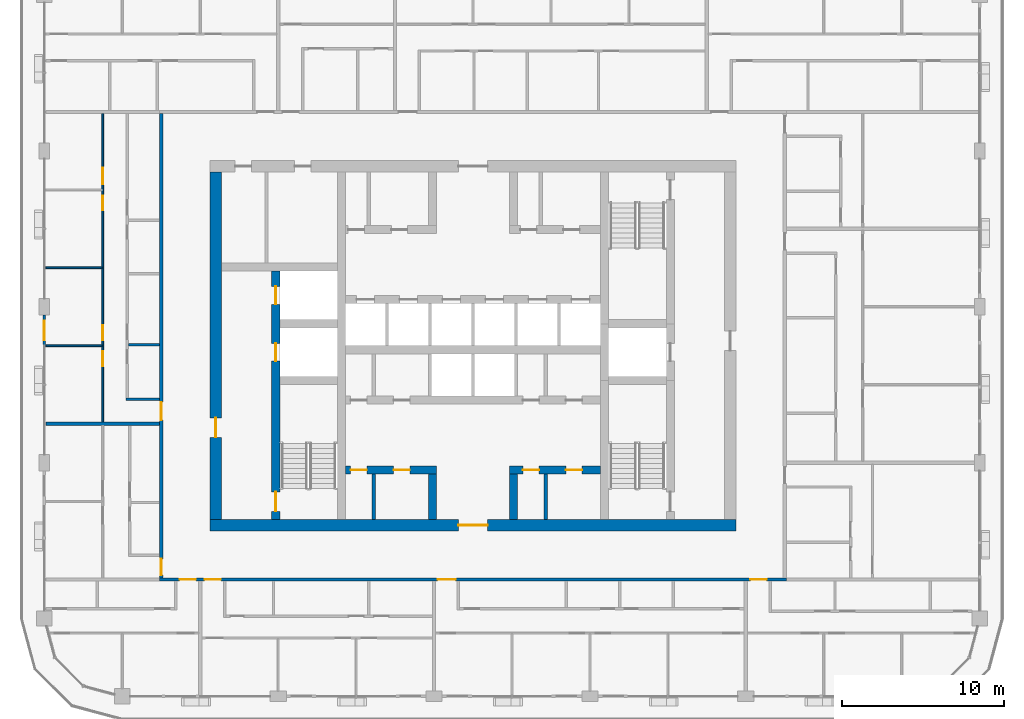
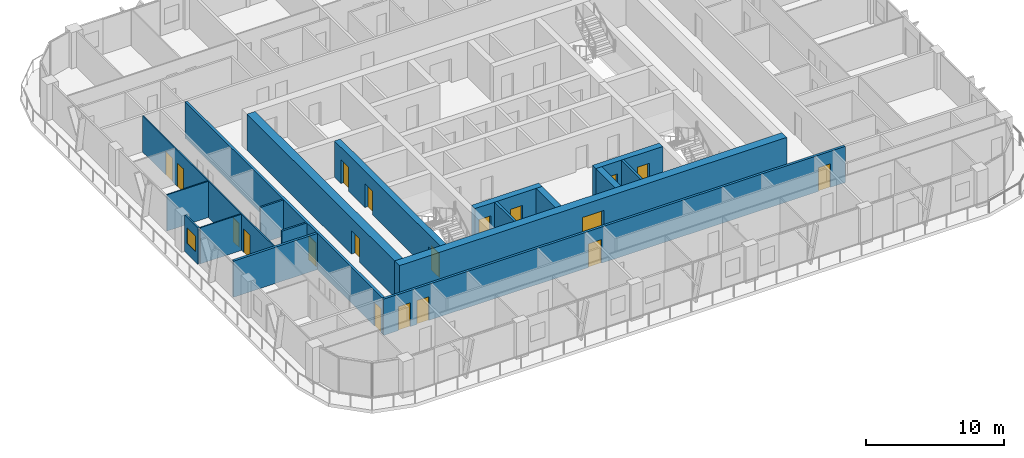
# One storey, part 10 of 23: 19 doors, 18 walls, 1 window, 20 openings.
"""IFC4 building model written with IfcOpenShell, lengths in metres."""

from ifc_helpers import new_model, si_unit, direction, frame, frame_2d, origin, place, context, subcontext, project, spatial, rectangle, extrude, material, layer, layer_set, type_object, element, fill, save


model = new_model("IFC4")

# Units and contexts
model_context = context("Model", 3, precision=1e-05, world=origin(), true_north=direction((0.0, 1.0)))
body_context = subcontext(model_context, "Body", "Model", "MODEL_VIEW")
ifc_project = project(units=[si_unit("LENGTHUNIT", "METRE"), si_unit("AREAUNIT", "SQUARE_METRE"), si_unit("VOLUMEUNIT", "CUBIC_METRE"), si_unit("PLANEANGLEUNIT", "RADIAN"), si_unit("MASSUNIT", "GRAM", prefix="KILO")], contexts=[model_context])

# Site, building, storey
site_placement = place(None, origin())
site = spatial("IfcSite", under=ifc_project, at=site_placement, CompositionType="ELEMENT")
building_placement = place(site_placement, origin())
building = spatial("IfcBuilding", under=site, at=building_placement, Name="Madar Terraces", CompositionType="ELEMENT")
storey_placement = place(building_placement, frame((0.0, 0.0, 222.800048828125)))
storey = spatial("IfcBuildingStorey", under=building, at=storey_placement, Name="L58", CompositionType="ELEMENT", Elevation=222.800048828125)

# Wall, openings, doors
ifc_material_1 = material(Name="Concrete C60/75", Category="concrete")
ifc_layer_1 = layer(ifc_material_1, 0.5)
ifc_layer_set_1 = layer_set([ifc_layer_1], Name="Concrete C60/75 (CIW4 RC wall 500)")
wall_type_1 = type_object("IfcWallType", Name="CIW4 RC wall 500", PredefinedType="SHEAR", material=ifc_layer_set_1)
wall_1_placement = place(storey_placement, frame((19.050048828125, 15.699951171875, 0.0), z_axis=(0.0, 0.0, 1.0), x_axis=(0.0, 1.0, 0.0)))
wall_1 = element("IfcWall", 1, at=wall_1_placement, inside=storey, type_object=wall_type_1, Name="CORE SHAFT WALL", PredefinedType="SHEAR", context=body_context, shape_type="SweptSolid", body=[
    extrude(rectangle(XDim=15.300048828125, YDim=0.5, at=frame_2d((7.64990234375, 0.0))), origin(), (0.0, 0.0, 1.0), 3.199951171875),
])
opening_1_placement = place(wall_1_placement, frame((9.75, 0.0, 0.0)))
opening_1 = element("IfcOpeningElement", 2, at=opening_1_placement, cuts=wall_1, Name="Opening LD", PredefinedType="OPENING", context=body_context, shape_type="SweptSolid", body=[
    extrude(rectangle(XDim=1.10009765625, YDim=2.10009765625, at=frame_2d((0.550048828125, 1.050048828125))), frame((0.0, 0.260009765625, 0.0), z_axis=(0.0, -1.0, 0.0), x_axis=(1.0, 0.0, 0.0)), (0.0, 0.0, 1.0), 0.52001953125),
])
opening_2_placement = place(wall_1_placement, frame((13.25, 0.0, 0.0)))
opening_2 = element("IfcOpeningElement", 3, at=opening_2_placement, cuts=wall_1, Name="Opening LD", PredefinedType="OPENING", context=body_context, shape_type="SweptSolid", body=[
    extrude(rectangle(XDim=1.10009765625, YDim=2.10009765625, at=frame_2d((0.550048828125, 1.050048828125))), frame((0.0, 0.260009765625, 0.0), z_axis=(0.0, -1.0, 0.0), x_axis=(1.0, 0.0, 0.0)), (0.0, 0.0, 1.0), 0.52001953125),
])
opening_3_placement = place(wall_1_placement, frame((0.5, 0.0, 0.0)))
opening_3 = element("IfcOpeningElement", 4, at=opening_3_placement, cuts=wall_1, Name="Opening SD1", PredefinedType="OPENING", context=body_context, shape_type="SweptSolid", body=[
    extrude(rectangle(XDim=1.199951171875, YDim=2.10009765625, at=frame_2d((0.60009765625, 1.050048828125))), frame((0.0, 0.260009765625, 0.0), z_axis=(0.0, -1.0, 0.0), x_axis=(1.0, 0.0, 0.0)), (0.0, 0.0, 1.0), 0.52001953125),
])
ifc_material_2 = material(Name="Stainless steel panel", Category="steel")
door_type_1 = type_object("IfcDoorType", Name="Lift landing door 1100 x 2100", OperationType="DOUBLE_DOOR_SLIDING", PredefinedType="DOOR", material=ifc_material_2)
door_1_placement = place(opening_1_placement, origin())
door_1 = element("IfcDoor", 5, at=door_1_placement, inside=storey, type_object=door_type_1, Name="LIFT LANDING DOOR", OperationType="DOUBLE_DOOR_SLIDING", OverallHeight=2.10009765625, OverallWidth=1.10009765625, PredefinedType="DOOR", context=body_context, shape_type="SweptSolid", body=[
    extrude(rectangle(XDim=1.10009765625, YDim=2.10009765625, at=frame_2d((0.550048828125, 1.050048828125))), frame((0.0, 0.02490234375, 0.0), z_axis=(0.0, -1.0, 0.0), x_axis=(1.0, 0.0, 0.0)), (0.0, 0.0, 1.0), 0.050048828125),
])
fill(opening_1, door_1)
door_2_placement = place(opening_2_placement, origin())
door_2 = element("IfcDoor", 6, at=door_2_placement, inside=storey, type_object=door_type_1, Name="LIFT LANDING DOOR", OperationType="DOUBLE_DOOR_SLIDING", OverallHeight=2.10009765625, OverallWidth=1.10009765625, PredefinedType="DOOR", context=body_context, shape_type="SweptSolid", body=[
    extrude(rectangle(XDim=1.10009765625, YDim=2.10009765625, at=frame_2d((0.550048828125, 1.050048828125))), frame((0.0, 0.02490234375, 0.0), z_axis=(0.0, -1.0, 0.0), x_axis=(1.0, 0.0, 0.0)), (0.0, 0.0, 1.0), 0.050048828125),
])
fill(opening_2, door_2)
ifc_material_3 = material(Name="Steel door leaf", Category="steel")
door_type_2 = type_object("IfcDoorType", Name="Stair door 1200 x 2100", OperationType="NOTDEFINED", PredefinedType="DOOR", material=ifc_material_3)
door_3_placement = place(opening_3_placement, frame((1.199951171875, 0.0, 0.0), z_axis=(0.0, 0.0, 1.0), x_axis=(-1.0, 0.0, 0.0)))
door_3 = element("IfcDoor", 7, at=door_3_placement, inside=storey, type_object=door_type_2, Name="STAIR DOOR", OperationType="SINGLE_SWING_RIGHT", OverallHeight=2.10009765625, OverallWidth=1.199951171875, PredefinedType="DOOR", context=body_context, shape_type="SweptSolid", body=[
    extrude(rectangle(XDim=1.199951171875, YDim=2.10009765625, at=frame_2d((0.60009765625, 1.050048828125))), frame((0.0, 0.02490234375, 0.0), z_axis=(0.0, -1.0, 0.0), x_axis=(1.0, 0.0, 0.0)), (0.0, 0.0, 1.0), 0.050048828125),
])
fill(opening_3, door_3)

wall_2_placement = place(storey_placement, frame((23.35009765625, 18.75, 0.0), z_axis=(0.0, 0.0, 1.0), x_axis=(1.0, 0.0, 0.0)))
wall_2 = element("IfcWall", 8, at=wall_2_placement, inside=storey, type_object=wall_type_1, Name="CORE SHAFT WALL", PredefinedType="SHEAR", context=body_context, shape_type="SweptSolid", body=[
    extrude(rectangle(XDim=5.599853515625, YDim=0.5, at=frame_2d((2.7998046875, 0.0))), origin(), (0.0, 0.0, 1.0), 3.199951171875),
])
opening_4_placement = place(wall_2_placement, frame((0.31689453125, 0.0, 0.0)))
opening_4 = element("IfcOpeningElement", 9, at=opening_4_placement, cuts=wall_2, Name="Opening KD2", PredefinedType="OPENING", context=body_context, shape_type="SweptSolid", body=[
    extrude(rectangle(XDim=1.0, YDim=2.10009765625, at=frame_2d((0.5, 1.050048828125))), frame((0.0, 0.260009765625, 0.0), z_axis=(0.0, -1.0, 0.0), x_axis=(1.0, 0.0, 0.0)), (0.0, 0.0, 1.0), 0.52001953125),
])
opening_5_placement = place(wall_2_placement, frame((2.967041015625, 0.0, 0.0)))
opening_5 = element("IfcOpeningElement", 10, at=opening_5_placement, cuts=wall_2, Name="Opening KD2", PredefinedType="OPENING", context=body_context, shape_type="SweptSolid", body=[
    extrude(rectangle(XDim=1.0, YDim=2.10009765625, at=frame_2d((0.5, 1.050048828125))), frame((0.0, 0.260009765625, 0.0), z_axis=(0.0, -1.0, 0.0), x_axis=(1.0, 0.0, 0.0)), (0.0, 0.0, 1.0), 0.52001953125),
])
ifc_material_4 = material(Name="Steel door leaf", Category="steel")
door_type_3 = type_object("IfcDoorType", Name="Service room door 1000 x 2100", OperationType="NOTDEFINED", PredefinedType="DOOR", material=ifc_material_4)
door_4_placement = place(opening_4_placement, origin())
door_4 = element("IfcDoor", 11, at=door_4_placement, inside=storey, type_object=door_type_3, Name="SERVICE ROOM DOOR", OperationType="SINGLE_SWING_LEFT", OverallHeight=2.10009765625, OverallWidth=1.0, PredefinedType="DOOR", context=body_context, shape_type="SweptSolid", body=[
    extrude(rectangle(XDim=1.0, YDim=2.10009765625, at=frame_2d((0.5, 1.050048828125))), frame((0.0, 0.02490234375, 0.0), z_axis=(0.0, -1.0, 0.0), x_axis=(1.0, 0.0, 0.0)), (0.0, 0.0, 1.0), 0.050048828125),
])
fill(opening_4, door_4)
door_5_placement = place(opening_5_placement, origin())
door_5 = element("IfcDoor", 12, at=door_5_placement, inside=storey, type_object=door_type_3, Name="SERVICE ROOM DOOR", OperationType="SINGLE_SWING_RIGHT", OverallHeight=2.10009765625, OverallWidth=1.0, PredefinedType="DOOR", context=body_context, shape_type="SweptSolid", body=[
    extrude(rectangle(XDim=1.0, YDim=2.10009765625, at=frame_2d((0.5, 1.050048828125))), frame((0.0, 0.02490234375, 0.0), z_axis=(0.0, -1.0, 0.0), x_axis=(1.0, 0.0, 0.0)), (0.0, 0.0, 1.0), 0.050048828125),
])
fill(opening_5, door_5)

wall_3_placement = place(storey_placement, frame((33.449951171875, 18.75, 0.0), z_axis=(0.0, 0.0, 1.0), x_axis=(1.0, 0.0, 0.0)))
wall_3 = element("IfcWall", 13, at=wall_3_placement, inside=storey, type_object=wall_type_1, Name="CORE SHAFT WALL", PredefinedType="SHEAR", context=body_context, shape_type="SweptSolid", body=[
    extrude(rectangle(XDim=5.60009765625, YDim=0.5, at=frame_2d((2.800048828125, 0.0))), origin(), (0.0, 0.0, 1.0), 3.199951171875),
])
opening_6_placement = place(wall_3_placement, frame((0.81689453125, 0.0, 0.0)))
opening_6 = element("IfcOpeningElement", 14, at=opening_6_placement, cuts=wall_3, Name="Opening KD2", PredefinedType="OPENING", context=body_context, shape_type="SweptSolid", body=[
    extrude(rectangle(XDim=1.0, YDim=2.10009765625, at=frame_2d((0.5, 1.050048828125))), frame((0.0, 0.260009765625, 0.0), z_axis=(0.0, -1.0, 0.0), x_axis=(1.0, 0.0, 0.0)), (0.0, 0.0, 1.0), 0.52001953125),
])
opening_7_placement = place(wall_3_placement, frame((3.467041015625, 0.0, 0.0)))
opening_7 = element("IfcOpeningElement", 15, at=opening_7_placement, cuts=wall_3, Name="Opening KD2", PredefinedType="OPENING", context=body_context, shape_type="SweptSolid", body=[
    extrude(rectangle(XDim=1.0, YDim=2.10009765625, at=frame_2d((0.5, 1.050048828125))), frame((0.0, 0.260009765625, 0.0), z_axis=(0.0, -1.0, 0.0), x_axis=(1.0, 0.0, 0.0)), (0.0, 0.0, 1.0), 0.52001953125),
])
door_6_placement = place(opening_6_placement, origin())
door_6 = element("IfcDoor", 16, at=door_6_placement, inside=storey, type_object=door_type_3, Name="SERVICE ROOM DOOR", OperationType="SINGLE_SWING_LEFT", OverallHeight=2.10009765625, OverallWidth=1.0, PredefinedType="DOOR", context=body_context, shape_type="SweptSolid", body=[
    extrude(rectangle(XDim=1.0, YDim=2.10009765625, at=frame_2d((0.5, 1.050048828125))), frame((0.0, 0.02490234375, 0.0), z_axis=(0.0, -1.0, 0.0), x_axis=(1.0, 0.0, 0.0)), (0.0, 0.0, 1.0), 0.050048828125),
])
fill(opening_6, door_6)
door_7_placement = place(opening_7_placement, origin())
door_7 = element("IfcDoor", 17, at=door_7_placement, inside=storey, type_object=door_type_3, Name="SERVICE ROOM DOOR", OperationType="SINGLE_SWING_RIGHT", OverallHeight=2.10009765625, OverallWidth=1.0, PredefinedType="DOOR", context=body_context, shape_type="SweptSolid", body=[
    extrude(rectangle(XDim=1.0, YDim=2.10009765625, at=frame_2d((0.5, 1.050048828125))), frame((0.0, 0.02490234375, 0.0), z_axis=(0.0, -1.0, 0.0), x_axis=(1.0, 0.0, 0.0)), (0.0, 0.0, 1.0), 0.050048828125),
])
fill(opening_7, door_7)

# Walls
for number, where, z_axis, x_axis, name in (
    (18, (28.699951171875, 15.699951171875, 0.0), (0.0, 0.0, 1.0), (0.0, 1.0, 0.0), "CORE SHAFT WALL"),
    (19, (33.699951171875, 15.699951171875, 0.0), (0.0, 0.0, 1.0), (0.0, 1.0, 0.0), "CORE SHAFT WALL"),
):
    element("IfcWall", number, at=place(storey_placement, frame(where, z_axis=z_axis, x_axis=x_axis)), inside=storey, type_object=wall_type_1, Name=name, PredefinedType="SHEAR", context=body_context, shape_type="SweptSolid", body=[
        extrude(rectangle(XDim=2.800048828125, YDim=0.5, at=frame_2d((1.39990234375, 0.0))), origin(), (0.0, 0.0, 1.0), 3.199951171875),
    ])

# Wall, opening, door
ifc_material_5 = material(Name="Concrete C60/75", Category="concrete")
ifc_layer_2 = layer(ifc_material_5, 0.699951171875)
ifc_layer_set_2 = layer_set([ifc_layer_2], Name="Concrete C60/75 (CRW4 RC wall 700)")
wall_type_2 = type_object("IfcWallType", Name="CRW4 RC wall 700", PredefinedType="SHEAR", material=ifc_layer_set_2)
wall_4_placement = place(storey_placement, frame((15.0, 15.35009765625, 0.0), z_axis=(0.0, 0.0, 1.0), x_axis=(1.0, 0.0, 0.0)))
wall_4 = element("IfcWall", 20, at=wall_4_placement, inside=storey, type_object=wall_type_2, Name="CORE OUTER WALL", PredefinedType="SHEAR", context=body_context, shape_type="SweptSolid", body=[
    extrude(rectangle(XDim=32.39990234375, YDim=0.699951171875, at=frame_2d((16.199951171875, 0.0))), origin(), (0.0, 0.0, 1.0), 3.199951171875),
])
opening_8_placement = place(wall_4_placement, frame((15.300048828125, 0.0, 0.0)))
opening_8 = element("IfcOpeningElement", 21, at=opening_8_placement, cuts=wall_4, Name="Opening KD1", PredefinedType="OPENING", context=body_context, shape_type="SweptSolid", body=[
    extrude(rectangle(XDim=1.800048828125, YDim=2.10009765625, at=frame_2d((0.89990234375, 1.050048828125))), frame((0.0, 0.35986328125, 0.0), z_axis=(0.0, -1.0, 0.0), x_axis=(1.0, 0.0, 0.0)), (0.0, 0.0, 1.0), 0.719970703125),
])
ifc_material_6 = material(Name="Steel door leaf", Category="steel")
door_type_4 = type_object("IfcDoorType", Name="Lobby door pair 1800 x 2100", OperationType="DOUBLE_DOOR_SINGLE_SWING", PredefinedType="DOOR", material=ifc_material_6)
door_8_placement = place(opening_8_placement, frame((1.800048828125, 0.0, 0.0), z_axis=(0.0, 0.0, 1.0), x_axis=(-1.0, 0.0, 0.0)))
door_8 = element("IfcDoor", 22, at=door_8_placement, inside=storey, type_object=door_type_4, Name="LIFT LOBBY DOOR", OperationType="DOUBLE_DOOR_SINGLE_SWING", OverallHeight=2.10009765625, OverallWidth=1.800048828125, PredefinedType="DOOR", context=body_context, shape_type="SweptSolid", body=[
    extrude(rectangle(XDim=1.800048828125, YDim=2.10009765625, at=frame_2d((0.89990234375, 1.050048828125))), frame((0.0, 0.02490234375, 0.0), z_axis=(0.0, -1.0, 0.0), x_axis=(1.0, 0.0, 0.0)), (0.0, 0.0, 1.0), 0.050048828125),
])
fill(opening_8, door_8)

wall_5_placement = place(storey_placement, frame((15.35009765625, 15.699951171875, 0.0), z_axis=(0.0, 0.0, 1.0), x_axis=(0.0, 1.0, 0.0)))
wall_5 = element("IfcWall", 23, at=wall_5_placement, inside=storey, type_object=wall_type_2, Name="CORE OUTER WALL", PredefinedType="SHEAR", context=body_context, shape_type="SweptSolid", body=[
    extrude(rectangle(XDim=21.400146484375, YDim=0.699951171875, at=frame_2d((10.7001953125, 0.0))), origin(), (0.0, 0.0, 1.0), 3.199951171875),
])
opening_9_placement = place(wall_5_placement, frame((5.06005859375, 0.0, 0.0)))
opening_9 = element("IfcOpeningElement", 24, at=opening_9_placement, cuts=wall_5, Name="Opening SD1", PredefinedType="OPENING", context=body_context, shape_type="SweptSolid", body=[
    extrude(rectangle(XDim=1.199951171875, YDim=2.10009765625, at=frame_2d((0.60009765625, 1.050048828125))), frame((0.0, 0.35986328125, 0.0), z_axis=(0.0, -1.0, 0.0), x_axis=(1.0, 0.0, 0.0)), (0.0, 0.0, 1.0), 0.719970703125),
])
door_9_placement = place(opening_9_placement, frame((1.199951171875, 0.0, 0.0), z_axis=(0.0, 0.0, 1.0), x_axis=(-1.0, 0.0, 0.0)))
door_9 = element("IfcDoor", 25, at=door_9_placement, inside=storey, type_object=door_type_2, Name="STAIR DOOR", OperationType="SINGLE_SWING_LEFT", OverallHeight=2.10009765625, OverallWidth=1.199951171875, PredefinedType="DOOR", context=body_context, shape_type="SweptSolid", body=[
    extrude(rectangle(XDim=1.199951171875, YDim=2.10009765625, at=frame_2d((0.60009765625, 1.050048828125))), frame((0.0, 0.02490234375, 0.0), z_axis=(0.0, -1.0, 0.0), x_axis=(1.0, 0.0, 0.0)), (0.0, 0.0, 1.0), 0.050048828125),
])
fill(opening_9, door_9)

# Walls
ifc_material_7 = material(Name="Masonry blockwork", Category="masonry")
ifc_layer_3 = layer(ifc_material_7, 0.199951171875)
ifc_layer_set_3 = layer_set([ifc_layer_3], Name="Core partition 200 blockwork")
wall_type_3 = type_object("IfcWallType", Name="Core partition 200 blockwork", PredefinedType="PARTITIONING", material=ifc_layer_set_3)
for number, where, z_axis, x_axis, name in (
    (26, (25.083984375, 15.699951171875, 0.0), (0.0, 0.0, 1.0), (0.0, 1.0, 0.0), "SERVICE ROOM PARTITION"),
    (27, (35.68408203125, 15.699951171875, 0.0), (0.0, 0.0, 1.0), (0.0, 1.0, 0.0), "SERVICE ROOM PARTITION"),
):
    element("IfcWall", number, at=place(storey_placement, frame(where, z_axis=z_axis, x_axis=x_axis)), inside=storey, type_object=wall_type_3, Name=name, PredefinedType="PARTITIONING", context=body_context, shape_type="SweptSolid", body=[
        extrude(rectangle(XDim=2.800048828125, YDim=0.199951171875, at=frame_2d((1.39990234375, 0.0))), origin(), (0.0, 0.0, 1.0), 3.199951171875),
    ])

# Wall, opening, window
ifc_material_8 = material(Name="Aluminium composite panel, black, over insulated backing", Category="aluminium")
ifc_layer_4 = layer(ifc_material_8, 0.14990234375)
ifc_layer_set_4 = layer_set([ifc_layer_4], Name="Facade bay panel 150")
wall_type_4 = type_object("IfcWallType", Name="Facade bay panel 150", PredefinedType="SOLIDWALL", material=ifc_layer_set_4)
wall_6_placement = place(storey_placement, frame((4.800048828125, 28.300048828125, 0.0), z_axis=(0.0, 0.0, 1.0), x_axis=(0.0, -1.0, 0.0)))
wall_6 = element("IfcWall", 28, at=wall_6_placement, inside=storey, type_object=wall_type_4, Name="Facade bay panel", PredefinedType="SOLIDWALL", context=body_context, shape_type="SweptSolid", body=[
    extrude(rectangle(XDim=1.900146484375, YDim=0.14990234375, at=frame_2d((0.9501953125, 0.0))), origin(), (0.0, 0.0, 1.0), 3.199951171875),
])
opening_10_placement = place(wall_6_placement, frame((0.35009765625, 0.0, 0.89990234375)))
opening_10 = element("IfcOpeningElement", 29, at=opening_10_placement, cuts=wall_6, Name="Opening W1", PredefinedType="OPENING", context=body_context, shape_type="SweptSolid", body=[
    extrude(rectangle(XDim=1.199951171875, YDim=1.39990234375, at=frame_2d((0.60009765625, 0.699951171875))), frame((0.0, 0.0849609375, 0.0), z_axis=(0.0, -1.0, 0.0), x_axis=(1.0, 0.0, 0.0)), (0.0, 0.0, 1.0), 0.169921875),
])
ifc_material_9 = material(Name="Glass, clear, with black aluminium frame", Category="aluminium")
window_type = type_object("IfcWindowType", Name="Vent window 1200 x 1400", PartitioningType="SINGLE_PANEL", PredefinedType="WINDOW", material=ifc_material_9)
window_placement = place(opening_10_placement, origin())
window = element("IfcWindow", 30, at=window_placement, inside=storey, type_object=window_type, Name="Operable vent window", OverallHeight=1.39990234375, OverallWidth=1.199951171875, PartitioningType="SINGLE_PANEL", PredefinedType="WINDOW", context=body_context, shape_type="SweptSolid", body=[
    extrude(rectangle(XDim=1.199951171875, YDim=1.39990234375, at=frame_2d((0.60009765625, 0.699951171875))), frame((0.0, 0.030029296875, 0.0), z_axis=(0.0, -1.0, 0.0), x_axis=(1.0, 0.0, 0.0)), (0.0, 0.0, 1.0), 0.06005859375),
])
fill(opening_10, window)

# Walls
ifc_material_10 = material(Name="Gypsum board on steel studs", Category="steel")
ifc_layer_5 = layer(ifc_material_10, 0.10009765625)
ifc_layer_set_5 = layer_set([ifc_layer_5], Name="Flat partition 100")
wall_type_5 = type_object("IfcWallType", Name="Flat partition 100", PredefinedType="PARTITIONING", material=ifc_layer_set_5)
for number, where, z_axis, x_axis, name in (
    (31, (8.35009765625, 26.39990234375, 0.0), (0.0, 0.0, 1.0), (-1.0, 0.0, 0.0), "Flat partition 100"),
    (32, (8.35009765625, 31.199951171875, 0.0), (0.0, 0.0, 1.0), (-1.0, 0.0, 0.0), "Flat partition 100"),
):
    element("IfcWall", number, at=place(storey_placement, frame(where, z_axis=z_axis, x_axis=x_axis)), inside=storey, type_object=wall_type_5, Name=name, PredefinedType="PARTITIONING", context=body_context, shape_type="SweptSolid", body=[
        extrude(rectangle(XDim=3.4501953125, YDim=0.10009765625, at=frame_2d((1.72509765625, 0.0))), origin(), (0.0, 0.0, 1.0), 3.199951171875),
    ])

# Wall, openings, doors
wall_7_placement = place(storey_placement, frame((8.39990234375, 21.699951171875, 0.0), z_axis=(0.0, 0.0, 1.0), x_axis=(0.0, 1.0, 0.0)))
wall_7 = element("IfcWall", 33, at=wall_7_placement, inside=storey, type_object=wall_type_5, Name="Flat partition 100", PredefinedType="PARTITIONING", context=body_context, shape_type="SweptSolid", body=[
    extrude(rectangle(XDim=19.0, YDim=0.10009765625, at=frame_2d((9.5, 0.0))), origin(), (0.0, 0.0, 1.0), 3.199951171875),
])
opening_11_placement = place(wall_7_placement, frame((3.449951171875, 0.0, 0.0)))
opening_11 = element("IfcOpeningElement", 34, at=opening_11_placement, cuts=wall_7, Name="Opening D2", PredefinedType="OPENING", context=body_context, shape_type="SweptSolid", body=[
    extrude(rectangle(XDim=0.89990234375, YDim=2.10009765625, at=frame_2d((0.449951171875, 1.050048828125))), frame((0.0, 0.06005859375, 0.0), z_axis=(0.0, -1.0, 0.0), x_axis=(1.0, 0.0, 0.0)), (0.0, 0.0, 1.0), 0.1201171875),
])
opening_12_placement = place(wall_7_placement, frame((5.050048828125, 0.0, 0.0)))
opening_12 = element("IfcOpeningElement", 35, at=opening_12_placement, cuts=wall_7, Name="Opening D2", PredefinedType="OPENING", context=body_context, shape_type="SweptSolid", body=[
    extrude(rectangle(XDim=0.89990234375, YDim=2.10009765625, at=frame_2d((0.449951171875, 1.050048828125))), frame((0.0, 0.06005859375, 0.0), z_axis=(0.0, -1.0, 0.0), x_axis=(1.0, 0.0, 0.0)), (0.0, 0.0, 1.0), 0.1201171875),
])
opening_13_placement = place(wall_7_placement, frame((13.050048828125, 0.0, 0.0)))
opening_13 = element("IfcOpeningElement", 36, at=opening_13_placement, cuts=wall_7, Name="Opening D2", PredefinedType="OPENING", context=body_context, shape_type="SweptSolid", body=[
    extrude(rectangle(XDim=0.89990234375, YDim=2.10009765625, at=frame_2d((0.449951171875, 1.050048828125))), frame((0.0, 0.06005859375, 0.0), z_axis=(0.0, -1.0, 0.0), x_axis=(1.0, 0.0, 0.0)), (0.0, 0.0, 1.0), 0.1201171875),
])
opening_14_placement = place(wall_7_placement, frame((14.64990234375, 0.0, 0.0)))
opening_14 = element("IfcOpeningElement", 37, at=opening_14_placement, cuts=wall_7, Name="Opening D3", PredefinedType="OPENING", context=body_context, shape_type="SweptSolid", body=[
    extrude(rectangle(XDim=1.0, YDim=2.10009765625, at=frame_2d((0.5, 1.050048828125))), frame((0.0, 0.06005859375, 0.0), z_axis=(0.0, -1.0, 0.0), x_axis=(1.0, 0.0, 0.0)), (0.0, 0.0, 1.0), 0.1201171875),
])
ifc_material_11 = material(Name="Timber door leaf", Category="wood")
door_type_5 = type_object("IfcDoorType", Name="Flat living room door 1000", OperationType="NOTDEFINED", PredefinedType="DOOR", material=ifc_material_11)
door_10_placement = place(opening_14_placement, origin())
door_10 = element("IfcDoor", 38, at=door_10_placement, inside=storey, type_object=door_type_5, Name="Flat living room door 1000", OperationType="SINGLE_SWING_LEFT", OverallHeight=2.10009765625, OverallWidth=1.0, PredefinedType="DOOR", context=body_context, shape_type="SweptSolid", body=[
    extrude(rectangle(XDim=1.0, YDim=2.10009765625, at=frame_2d((0.5, 1.050048828125))), frame((0.0, 0.02490234375, 0.0), z_axis=(0.0, -1.0, 0.0), x_axis=(1.0, 0.0, 0.0)), (0.0, 0.0, 1.0), 0.050048828125),
])
fill(opening_14, door_10)
ifc_material_12 = material(Name="Timber door leaf", Category="wood")
door_type_6 = type_object("IfcDoorType", Name="Flat room door 900", OperationType="NOTDEFINED", PredefinedType="DOOR", material=ifc_material_12)
door_11_placement = place(opening_11_placement, origin())
door_11 = element("IfcDoor", 39, at=door_11_placement, inside=storey, type_object=door_type_6, Name="Flat room door 900", OperationType="SINGLE_SWING_RIGHT", OverallHeight=2.10009765625, OverallWidth=0.89990234375, PredefinedType="DOOR", context=body_context, shape_type="SweptSolid", body=[
    extrude(rectangle(XDim=0.89990234375, YDim=2.10009765625, at=frame_2d((0.449951171875, 1.050048828125))), frame((0.0, 0.02490234375, 0.0), z_axis=(0.0, -1.0, 0.0), x_axis=(1.0, 0.0, 0.0)), (0.0, 0.0, 1.0), 0.050048828125),
])
fill(opening_11, door_11)
door_12_placement = place(opening_12_placement, origin())
door_12 = element("IfcDoor", 40, at=door_12_placement, inside=storey, type_object=door_type_6, Name="Flat room door 900", OperationType="SINGLE_SWING_LEFT", OverallHeight=2.10009765625, OverallWidth=0.89990234375, PredefinedType="DOOR", context=body_context, shape_type="SweptSolid", body=[
    extrude(rectangle(XDim=0.89990234375, YDim=2.10009765625, at=frame_2d((0.449951171875, 1.050048828125))), frame((0.0, 0.02490234375, 0.0), z_axis=(0.0, -1.0, 0.0), x_axis=(1.0, 0.0, 0.0)), (0.0, 0.0, 1.0), 0.050048828125),
])
fill(opening_12, door_12)
door_13_placement = place(opening_13_placement, origin())
door_13 = element("IfcDoor", 41, at=door_13_placement, inside=storey, type_object=door_type_6, Name="Flat room door 900", OperationType="SINGLE_SWING_RIGHT", OverallHeight=2.10009765625, OverallWidth=0.89990234375, PredefinedType="DOOR", context=body_context, shape_type="SweptSolid", body=[
    extrude(rectangle(XDim=0.89990234375, YDim=2.10009765625, at=frame_2d((0.449951171875, 1.050048828125))), frame((0.0, 0.02490234375, 0.0), z_axis=(0.0, -1.0, 0.0), x_axis=(1.0, 0.0, 0.0)), (0.0, 0.0, 1.0), 0.050048828125),
])
fill(opening_13, door_13)

ifc_material_13 = material(Name="Lightweight blockwork", Category="masonry")
ifc_layer_6 = layer(ifc_material_13, 0.199951171875)
ifc_layer_set_6 = layer_set([ifc_layer_6], Name="Flat party and entrance wall 200")
wall_type_6 = type_object("IfcWallType", Name="Flat party and entrance wall 200", PredefinedType="PARTITIONING", material=ifc_layer_set_6)
wall_8_placement = place(storey_placement, frame((50.5, 12.0, 0.0), z_axis=(0.0, 0.0, 1.0), x_axis=(-1.0, 0.0, 0.0)))
wall_8 = element("IfcWall", 42, at=wall_8_placement, inside=storey, type_object=wall_type_6, Name="Flat party and entrance wall 200", PredefinedType="PARTITIONING", context=body_context, shape_type="SweptSolid", body=[
    extrude(rectangle(XDim=38.60009765625, YDim=0.199951171875, at=frame_2d((19.300048828125, 0.0))), origin(), (0.0, 0.0, 1.0), 3.199951171875),
])
opening_15_placement = place(wall_8_placement, frame((36.375, 0.0, 0.0)))
opening_15 = element("IfcOpeningElement", 43, at=opening_15_placement, cuts=wall_8, Name="Opening D1", PredefinedType="OPENING", context=body_context, shape_type="SweptSolid", body=[
    extrude(rectangle(XDim=1.0, YDim=2.10009765625, at=frame_2d((0.5, 1.050048828125))), frame((0.0, 0.10986328125, 0.0), z_axis=(0.0, -1.0, 0.0), x_axis=(1.0, 0.0, 0.0)), (0.0, 0.0, 1.0), 0.219970703125),
])
opening_16_placement = place(wall_8_placement, frame((34.824951171875, 0.0, 0.0)))
opening_16 = element("IfcOpeningElement", 44, at=opening_16_placement, cuts=wall_8, Name="Opening D1", PredefinedType="OPENING", context=body_context, shape_type="SweptSolid", body=[
    extrude(rectangle(XDim=1.0, YDim=2.10009765625, at=frame_2d((0.5, 1.050048828125))), frame((0.0, 0.10986328125, 0.0), z_axis=(0.0, -1.0, 0.0), x_axis=(1.0, 0.0, 0.0)), (0.0, 0.0, 1.0), 0.219970703125),
])
opening_17_placement = place(wall_8_placement, frame((20.375, 0.0, 0.0)))
opening_17 = element("IfcOpeningElement", 45, at=opening_17_placement, cuts=wall_8, Name="Opening D6", PredefinedType="OPENING", context=body_context, shape_type="SweptSolid", body=[
    extrude(rectangle(XDim=1.10009765625, YDim=2.10009765625, at=frame_2d((0.550048828125, 1.050048828125))), frame((0.0, 0.10986328125, 0.0), z_axis=(0.0, -1.0, 0.0), x_axis=(1.0, 0.0, 0.0)), (0.0, 0.0, 1.0), 0.219970703125),
])
opening_18_placement = place(wall_8_placement, frame((1.22509765625, 0.0, 0.0)))
opening_18 = element("IfcOpeningElement", 46, at=opening_18_placement, cuts=wall_8, Name="Opening D1", PredefinedType="OPENING", context=body_context, shape_type="SweptSolid", body=[
    extrude(rectangle(XDim=1.0, YDim=2.10009765625, at=frame_2d((0.5, 1.050048828125))), frame((0.0, 0.10986328125, 0.0), z_axis=(0.0, -1.0, 0.0), x_axis=(1.0, 0.0, 0.0)), (0.0, 0.0, 1.0), 0.219970703125),
])
ifc_material_14 = material(Name="Timber fire door leaf", Category="wood")
door_type_7 = type_object("IfcDoorType", Name="Flat entrance door 1000 FD30S", OperationType="NOTDEFINED", PredefinedType="DOOR", material=ifc_material_14)
door_14_placement = place(opening_15_placement, origin())
door_14 = element("IfcDoor", 47, at=door_14_placement, inside=storey, type_object=door_type_7, Name="Flat entrance door 1000 FD30S", OperationType="SINGLE_SWING_LEFT", OverallHeight=2.10009765625, OverallWidth=1.0, PredefinedType="DOOR", context=body_context, shape_type="SweptSolid", body=[
    extrude(rectangle(XDim=1.0, YDim=2.10009765625, at=frame_2d((0.5, 1.050048828125))), frame((0.0, 0.02490234375, 0.0), z_axis=(0.0, -1.0, 0.0), x_axis=(1.0, 0.0, 0.0)), (0.0, 0.0, 1.0), 0.050048828125),
])
fill(opening_15, door_14)
door_15_placement = place(opening_16_placement, origin())
door_15 = element("IfcDoor", 48, at=door_15_placement, inside=storey, type_object=door_type_7, Name="Flat entrance door 1000 FD30S", OperationType="SINGLE_SWING_RIGHT", OverallHeight=2.10009765625, OverallWidth=1.0, PredefinedType="DOOR", context=body_context, shape_type="SweptSolid", body=[
    extrude(rectangle(XDim=1.0, YDim=2.10009765625, at=frame_2d((0.5, 1.050048828125))), frame((0.0, 0.02490234375, 0.0), z_axis=(0.0, -1.0, 0.0), x_axis=(1.0, 0.0, 0.0)), (0.0, 0.0, 1.0), 0.050048828125),
])
fill(opening_16, door_15)
door_16_placement = place(opening_18_placement, origin())
door_16 = element("IfcDoor", 49, at=door_16_placement, inside=storey, type_object=door_type_7, Name="Flat entrance door 1000 FD30S", OperationType="SINGLE_SWING_RIGHT", OverallHeight=2.10009765625, OverallWidth=1.0, PredefinedType="DOOR", context=body_context, shape_type="SweptSolid", body=[
    extrude(rectangle(XDim=1.0, YDim=2.10009765625, at=frame_2d((0.5, 1.050048828125))), frame((0.0, 0.02490234375, 0.0), z_axis=(0.0, -1.0, 0.0), x_axis=(1.0, 0.0, 0.0)), (0.0, 0.0, 1.0), 0.050048828125),
])
fill(opening_18, door_16)
ifc_material_15 = material(Name="Timber fire door leaf", Category="wood")
door_type_8 = type_object("IfcDoorType", Name="Flat entrance door 1100 FD30S", OperationType="NOTDEFINED", PredefinedType="DOOR", material=ifc_material_15)
door_17_placement = place(opening_17_placement, origin())
door_17 = element("IfcDoor", 50, at=door_17_placement, inside=storey, type_object=door_type_8, Name="Flat entrance door 1100 FD30S", OperationType="SINGLE_SWING_RIGHT", OverallHeight=2.10009765625, OverallWidth=1.10009765625, PredefinedType="DOOR", context=body_context, shape_type="SweptSolid", body=[
    extrude(rectangle(XDim=1.10009765625, YDim=2.10009765625, at=frame_2d((0.550048828125, 1.050048828125))), frame((0.0, 0.02490234375, 0.0), z_axis=(0.0, -1.0, 0.0), x_axis=(1.0, 0.0, 0.0)), (0.0, 0.0, 1.0), 0.050048828125),
])
fill(opening_17, door_17)

wall_9_placement = place(storey_placement, frame((12.0, 12.10009765625, 0.0), z_axis=(0.0, 0.0, 1.0), x_axis=(0.0, 1.0, 0.0)))
wall_9 = element("IfcWall", 51, at=wall_9_placement, inside=storey, type_object=wall_type_6, Name="Flat party and entrance wall 200", PredefinedType="PARTITIONING", context=body_context, shape_type="SweptSolid", body=[
    extrude(rectangle(XDim=28.599853515625, YDim=0.199951171875, at=frame_2d((14.2998046875, 0.0))), origin(), (0.0, 0.0, 1.0), 3.199951171875),
])
opening_19_placement = place(wall_9_placement, frame((9.72509765625, 0.0, 0.0)))
opening_19 = element("IfcOpeningElement", 52, at=opening_19_placement, cuts=wall_9, Name="Opening D6", PredefinedType="OPENING", context=body_context, shape_type="SweptSolid", body=[
    extrude(rectangle(XDim=1.10009765625, YDim=2.10009765625, at=frame_2d((0.550048828125, 1.050048828125))), frame((0.0, 0.10986328125, 0.0), z_axis=(0.0, -1.0, 0.0), x_axis=(1.0, 0.0, 0.0)), (0.0, 0.0, 1.0), 0.219970703125),
])
opening_20_placement = place(wall_9_placement, frame((0.175048828125, 0.0, 0.0)))
opening_20 = element("IfcOpeningElement", 53, at=opening_20_placement, cuts=wall_9, Name="Opening D1", PredefinedType="OPENING", context=body_context, shape_type="SweptSolid", body=[
    extrude(rectangle(XDim=1.0, YDim=2.10009765625, at=frame_2d((0.5, 1.050048828125))), frame((0.0, 0.10986328125, 0.0), z_axis=(0.0, -1.0, 0.0), x_axis=(1.0, 0.0, 0.0)), (0.0, 0.0, 1.0), 0.219970703125),
])
door_18_placement = place(opening_20_placement, origin())
door_18 = element("IfcDoor", 54, at=door_18_placement, inside=storey, type_object=door_type_7, Name="Flat entrance door 1000 FD30S", OperationType="SINGLE_SWING_LEFT", OverallHeight=2.10009765625, OverallWidth=1.0, PredefinedType="DOOR", context=body_context, shape_type="SweptSolid", body=[
    extrude(rectangle(XDim=1.0, YDim=2.10009765625, at=frame_2d((0.5, 1.050048828125))), frame((0.0, 0.02490234375, 0.0), z_axis=(0.0, -1.0, 0.0), x_axis=(1.0, 0.0, 0.0)), (0.0, 0.0, 1.0), 0.050048828125),
])
fill(opening_20, door_18)
door_19_placement = place(opening_19_placement, origin())
door_19 = element("IfcDoor", 55, at=door_19_placement, inside=storey, type_object=door_type_8, Name="Flat entrance door 1100 FD30S", OperationType="SINGLE_SWING_LEFT", OverallHeight=2.10009765625, OverallWidth=1.10009765625, PredefinedType="DOOR", context=body_context, shape_type="SweptSolid", body=[
    extrude(rectangle(XDim=1.10009765625, YDim=2.10009765625, at=frame_2d((0.550048828125, 1.050048828125))), frame((0.0, 0.02490234375, 0.0), z_axis=(0.0, -1.0, 0.0), x_axis=(1.0, 0.0, 0.0)), (0.0, 0.0, 1.0), 0.050048828125),
])
fill(opening_19, door_19)

# Walls
wall_10_placement = place(storey_placement, frame((4.89990234375, 21.60009765625, 0.0), z_axis=(0.0, 0.0, 1.0), x_axis=(1.0, 0.0, 0.0)))
element("IfcWall", 56, at=wall_10_placement, inside=storey, type_object=wall_type_6, Name="Flat party and entrance wall 200", PredefinedType="PARTITIONING", context=body_context, shape_type="SweptSolid", body=[
    extrude(rectangle(XDim=7.0, YDim=0.199951171875, at=frame_2d((3.5, 0.0))), origin(), (0.0, 0.0, 1.0), 3.199951171875),
])
ifc_material_16 = material(Name="Lightweight blockwork", Category="masonry")
ifc_layer_7 = layer(ifc_material_16, 0.14990234375)
ifc_layer_set_7 = layer_set([ifc_layer_7], Name="Flat wet-room partition 150")
wall_type_7 = type_object("IfcWallType", Name="Flat wet-room partition 150", PredefinedType="PARTITIONING", material=ifc_layer_set_7)
wall_11_placement = place(storey_placement, frame((11.89990234375, 26.4609375, 0.0), z_axis=(0.0, 0.0, 1.0), x_axis=(-1.0, 0.0, 0.0)))
element("IfcWall", 57, at=wall_11_placement, inside=storey, type_object=wall_type_7, Name="Flat wet-room partition 150", PredefinedType="PARTITIONING", context=body_context, shape_type="SweptSolid", body=[
    extrude(rectangle(XDim=1.9248046875, YDim=0.14990234375, at=frame_2d((0.96240234375, 0.0))), origin(), (0.0, 0.0, 1.0), 3.199951171875),
])
wall_12_placement = place(storey_placement, frame((11.89990234375, 23.10009765625, 0.0), z_axis=(0.0, 0.0, 1.0), x_axis=(-1.0, 0.0, 0.0)))
element("IfcWall", 58, at=wall_12_placement, inside=storey, type_object=wall_type_7, Name="Flat wet-room partition 150", PredefinedType="PARTITIONING", context=body_context, shape_type="SweptSolid", body=[
    extrude(rectangle(XDim=2.074951171875, YDim=0.14990234375, at=frame_2d((1.03759765625, 0.0))), origin(), (0.0, 0.0, 1.0), 3.199951171875),
])

save(model, "model.ifc")
